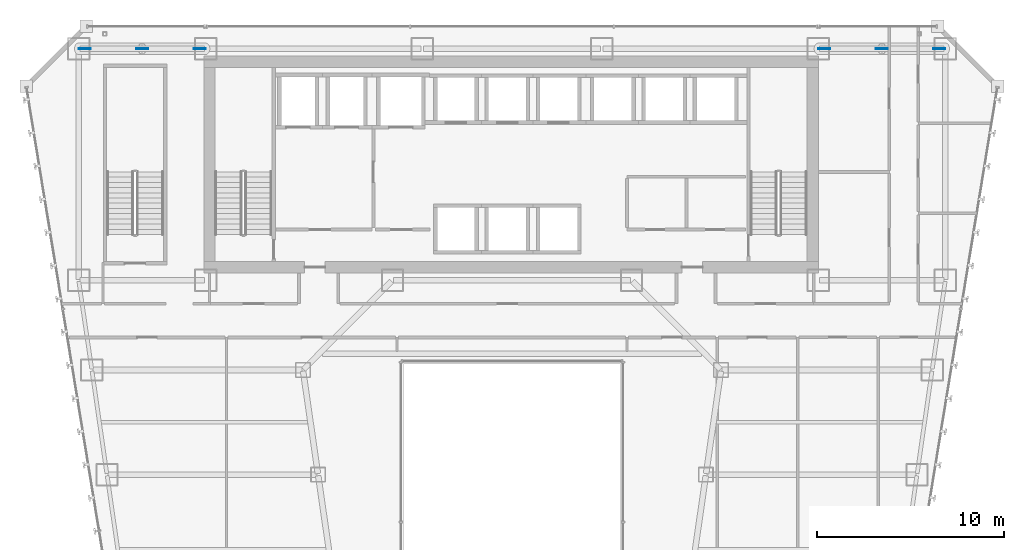
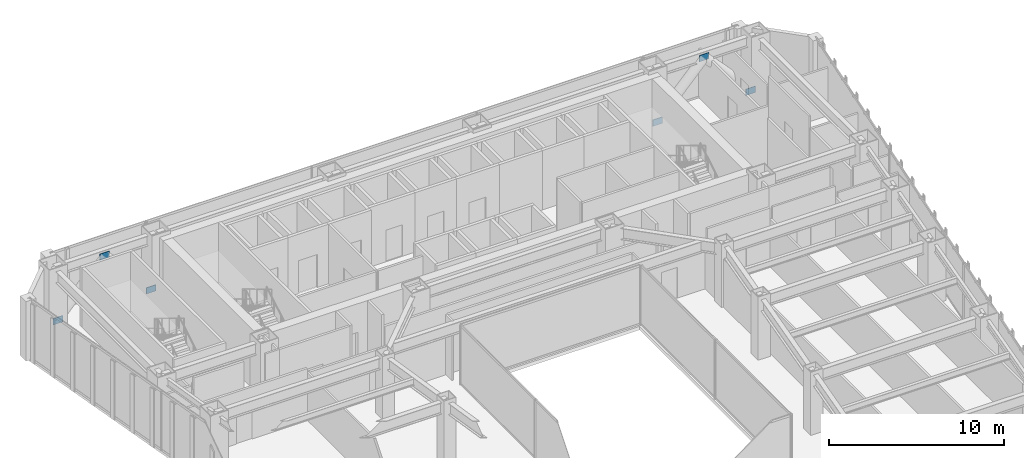
# One storey, part 35 of 47: 6 plates.
"""IFC4 building model written with IfcOpenShell, lengths in metres."""

from ifc_helpers import new_model, si_unit, direction, frame, origin, origin_2d, place, context, subcontext, project, spatial, rectangle, extrude, material, layer, layer_set, type_object, element, save


model = new_model("IFC4")

# Units and contexts
model_context = context("Model", 3, precision=1e-05, world=origin(), true_north=direction((0.0, 1.0)))
body_context = subcontext(model_context, "Body", "Model", "MODEL_VIEW")
ifc_project = project(units=[si_unit("LENGTHUNIT", "METRE"), si_unit("AREAUNIT", "SQUARE_METRE"), si_unit("VOLUMEUNIT", "CUBIC_METRE"), si_unit("PLANEANGLEUNIT", "RADIAN"), si_unit("MASSUNIT", "GRAM", prefix="KILO")], contexts=[model_context])

# Site, building, storey
site_placement = place(None, origin())
site = spatial("IfcSite", under=ifc_project, at=site_placement, CompositionType="ELEMENT")
building_placement = place(site_placement, origin())
building = spatial("IfcBuilding", under=site, at=building_placement, Name="Saevonmaru Cultural Tower", CompositionType="ELEMENT")
storey_placement = place(building_placement, frame((0.0, 0.0, 60.39990234375)))
storey = spatial("IfcBuildingStorey", under=building, at=storey_placement, Name="L12", CompositionType="ELEMENT", Elevation=60.39990234375)

# Plates
ifc_material = material(Name="Steel HSA600 (600 MPa)", Category="steel")
ifc_layer = layer(ifc_material, 0.0400390625, Name="Steel HSA600 (600 MPa)")
ifc_layer_set = layer_set([ifc_layer], Name="Steel HSA600 (600 MPa)")
plate_type = type_object("IfcPlateType", Name="PL-GUSSET-EXT", PredefinedType="USERDEFINED", material=ifc_layer_set)
for number, where, z_axis, x_axis, name in (
    (1, (10.199951171875, 54.800048828125, 3.4501953125), (0.0, 0.0, 1.0), (1.0, 0.0, 0.0), "L12 Perimeter Tube Gusset Plate"),
    (2, (7.1201171875, 54.800048828125, 0.02001953125), (0.0, 0.0, 1.0), (1.0, 0.0, 0.0), "L12 Perimeter Tube Gusset Plate"),
    (3, (13.280029296875, 54.800048828125, 0.02001953125), (0.0, 0.0, 1.0), (1.0, 0.0, 0.0), "L12 Perimeter Tube Gusset Plate"),
    (4, (49.800048828125, 54.800048828125, 3.4501953125), (0.0, 0.0, 1.0), (1.0, 0.0, 0.0), "L12 Perimeter Tube Gusset Plate"),
    (5, (46.719970703125, 54.800048828125, 0.02001953125), (0.0, 0.0, 1.0), (1.0, 0.0, 0.0), "L12 Perimeter Tube Gusset Plate"),
    (6, (52.8798828125, 54.800048828125, 0.02001953125), (0.0, 0.0, 1.0), (1.0, 0.0, 0.0), "L12 Perimeter Tube Gusset Plate"),
):
    element("IfcPlate", number, at=place(storey_placement, frame(where, z_axis=z_axis, x_axis=x_axis)), inside=storey, type_object=plate_type, Name=name, ObjectType="GUSSET_PLATE", PredefinedType="USERDEFINED", context=body_context, shape_type="SweptSolid", body=[
        extrude(rectangle(XDim=0.639892578125, YDim=0.0400390625, at=origin_2d()), origin(), (0.0, 0.0, 1.0), 0.43994140625),
    ])

save(model, "model.ifc")
